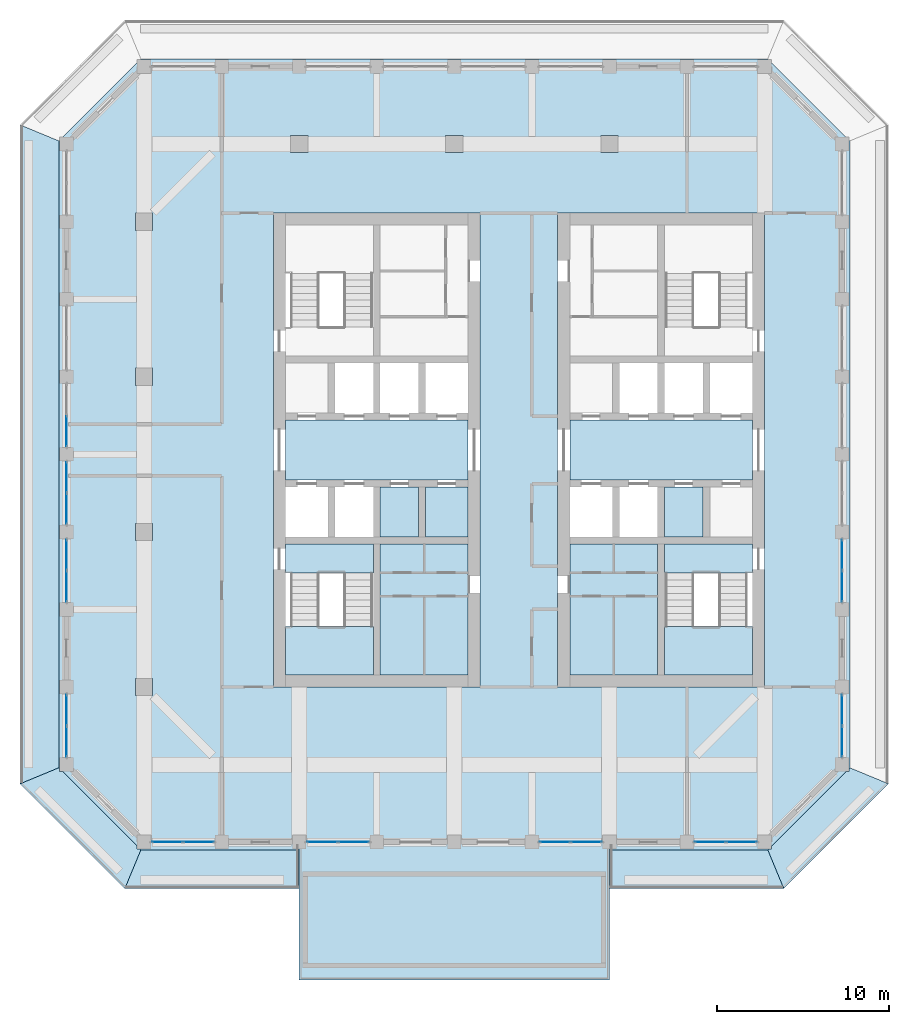
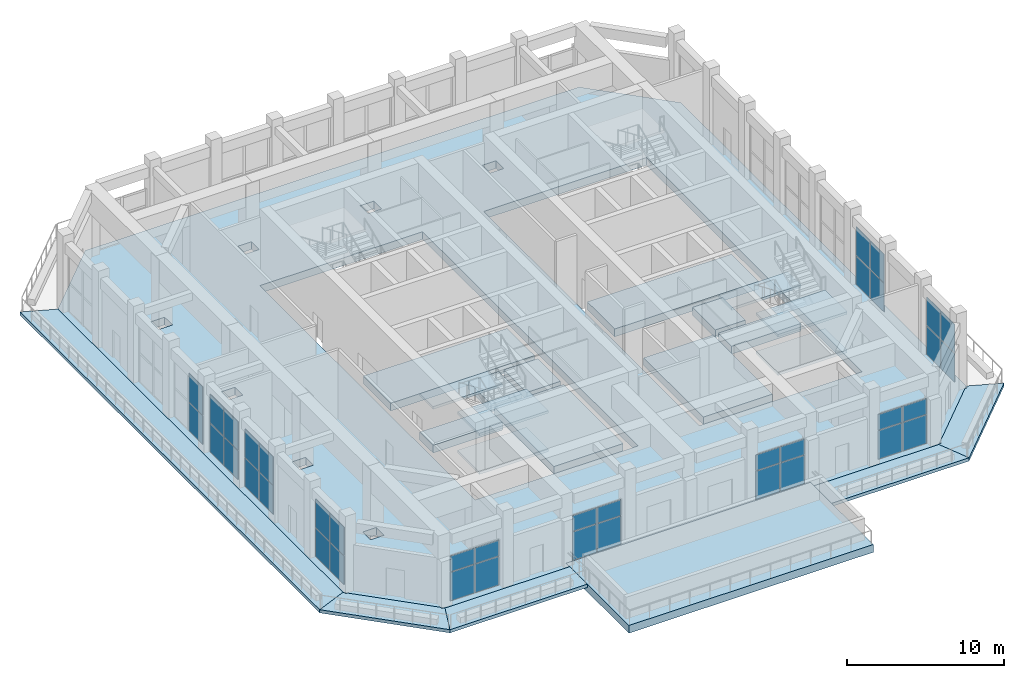
# One storey, part 7 of 20: 38 plates, 22 slabs, 12 elements without a shape of their own.
"""IFC4 building model written with IfcOpenShell, lengths in metres."""

from ifc_helpers import new_model, si_unit, direction, frame, origin, origin_2d, place, context, subcontext, project, spatial, polyline, rectangle, outline, extrude, material, layer, layer_set, type_object, element, aggregate, save


model = new_model("IFC4")

# Units and contexts
model_context = context("Model", 3, precision=1e-05, world=origin(), true_north=direction((0.0, 1.0)))
body_context = subcontext(model_context, "Body", "Model", "MODEL_VIEW")
ifc_project = project(units=[si_unit("LENGTHUNIT", "METRE"), si_unit("AREAUNIT", "SQUARE_METRE"), si_unit("VOLUMEUNIT", "CUBIC_METRE"), si_unit("PLANEANGLEUNIT", "RADIAN"), si_unit("MASSUNIT", "GRAM", prefix="KILO")], contexts=[model_context])

# Site, building, storey
site_placement = place(None, origin())
site = spatial("IfcSite", under=ifc_project, at=site_placement, CompositionType="ELEMENT")
building_placement = place(site_placement, origin())
building = spatial("IfcBuilding", under=site, at=building_placement, Name="Corbel Stack Research Tower", CompositionType="ELEMENT")
storey_placement = place(building_placement, frame((0.0, 0.0, 295.0)))
storey = spatial("IfcBuildingStorey", under=building, at=storey_placement, Name="L67", CompositionType="ELEMENT", Elevation=295.0)

# Curtain wall, plates
ifc_material_1 = material(Name="Aluminium frame, clear glass", Category="aluminium")
curtain_wall_type = type_object("IfcCurtainWallType", Name="Upper amenity floor curtain wall CW3", PredefinedType="NOTDEFINED", material=ifc_material_1)
curtain_wall_1_placement = place(storey_placement, origin())
curtain_wall_1 = element("IfcCurtainWall", 1, at=curtain_wall_1_placement, inside=storey, type_object=curtain_wall_type, Name="Curtain wall CW3 L67 S01", PredefinedType="NOTDEFINED")
ifc_material_2 = material(Name="Low-emissivity glass", Category="glass")
ifc_layer_1 = layer(ifc_material_2, 0.035888671875)
ifc_layer_set_1 = layer_set([ifc_layer_1], Name="Low-emissivity glass")
plate_type = type_object("IfcPlateType", Name="Low-emissivity glazing 36", PredefinedType="CURTAIN_PANEL", material=ifc_layer_set_1)
plate_1_placement = place(storey_placement, frame((-16.659912109375, -18.0, 0.06005859375), z_axis=(0.0, 0.0, 1.0), x_axis=(1.0, 0.0, 0.0)))
plate_1 = element("IfcPlate", 2, at=plate_1_placement, type_object=plate_type, Name="CW3 panel 1.1", PredefinedType="CURTAIN_PANEL", context=body_context, shape_type="SweptSolid", body=[
    extrude(rectangle(XDim=1.760009765625, YDim=0.035888671875, at=origin_2d()), origin(), (0.0, 0.0, 1.0), 2.2099609375),
])
plate_2_placement = place(storey_placement, frame((-16.659912109375, -18.0, 2.330078125), z_axis=(0.0, 0.0, 1.0), x_axis=(1.0, 0.0, 0.0)))
plate_2 = element("IfcPlate", 3, at=plate_2_placement, type_object=plate_type, Name="CW3 panel 1.2", PredefinedType="CURTAIN_PANEL", context=body_context, shape_type="SweptSolid", body=[
    extrude(rectangle(XDim=1.760009765625, YDim=0.035888671875, at=origin_2d()), origin(), (0.0, 0.0, 1.0), 1.2099609375),
])
plate_3_placement = place(storey_placement, frame((-14.840087890625, -18.0, 0.06005859375), z_axis=(0.0, 0.0, 1.0), x_axis=(1.0, 0.0, 0.0)))
plate_3 = element("IfcPlate", 4, at=plate_3_placement, type_object=plate_type, Name="CW3 panel 2.1", PredefinedType="CURTAIN_PANEL", context=body_context, shape_type="SweptSolid", body=[
    extrude(rectangle(XDim=1.760009765625, YDim=0.035888671875, at=origin_2d()), origin(), (0.0, 0.0, 1.0), 2.2099609375),
])
plate_4_placement = place(storey_placement, frame((-14.840087890625, -18.0, 2.330078125), z_axis=(0.0, 0.0, 1.0), x_axis=(1.0, 0.0, 0.0)))
plate_4 = element("IfcPlate", 5, at=plate_4_placement, type_object=plate_type, Name="CW3 panel 2.2", PredefinedType="CURTAIN_PANEL", context=body_context, shape_type="SweptSolid", body=[
    extrude(rectangle(XDim=1.760009765625, YDim=0.035888671875, at=origin_2d()), origin(), (0.0, 0.0, 1.0), 1.2099609375),
])
aggregate(curtain_wall_1, [plate_1, plate_2, plate_3, plate_4])

curtain_wall_2_placement = place(storey_placement, origin())
curtain_wall_2 = element("IfcCurtainWall", 6, at=curtain_wall_2_placement, inside=storey, type_object=curtain_wall_type, Name="Curtain wall CW3 L67 S03", PredefinedType="NOTDEFINED")
plate_5_placement = place(storey_placement, frame((-7.659912109375, -18.0, 0.06005859375), z_axis=(0.0, 0.0, 1.0), x_axis=(1.0, 0.0, 0.0)))
plate_5 = element("IfcPlate", 7, at=plate_5_placement, type_object=plate_type, Name="CW3 panel 1.1", PredefinedType="CURTAIN_PANEL", context=body_context, shape_type="SweptSolid", body=[
    extrude(rectangle(XDim=1.760009765625, YDim=0.035888671875, at=origin_2d()), origin(), (0.0, 0.0, 1.0), 2.2099609375),
])
plate_6_placement = place(storey_placement, frame((-7.659912109375, -18.0, 2.330078125), z_axis=(0.0, 0.0, 1.0), x_axis=(1.0, 0.0, 0.0)))
plate_6 = element("IfcPlate", 8, at=plate_6_placement, type_object=plate_type, Name="CW3 panel 1.2", PredefinedType="CURTAIN_PANEL", context=body_context, shape_type="SweptSolid", body=[
    extrude(rectangle(XDim=1.760009765625, YDim=0.035888671875, at=origin_2d()), origin(), (0.0, 0.0, 1.0), 1.2099609375),
])
plate_7_placement = place(storey_placement, frame((-5.840087890625, -18.0, 0.06005859375), z_axis=(0.0, 0.0, 1.0), x_axis=(1.0, 0.0, 0.0)))
plate_7 = element("IfcPlate", 9, at=plate_7_placement, type_object=plate_type, Name="CW3 panel 2.1", PredefinedType="CURTAIN_PANEL", context=body_context, shape_type="SweptSolid", body=[
    extrude(rectangle(XDim=1.760009765625, YDim=0.035888671875, at=origin_2d()), origin(), (0.0, 0.0, 1.0), 2.2099609375),
])
plate_8_placement = place(storey_placement, frame((-5.840087890625, -18.0, 2.330078125), z_axis=(0.0, 0.0, 1.0), x_axis=(1.0, 0.0, 0.0)))
plate_8 = element("IfcPlate", 10, at=plate_8_placement, type_object=plate_type, Name="CW3 panel 2.2", PredefinedType="CURTAIN_PANEL", context=body_context, shape_type="SweptSolid", body=[
    extrude(rectangle(XDim=1.760009765625, YDim=0.035888671875, at=origin_2d()), origin(), (0.0, 0.0, 1.0), 1.2099609375),
])
aggregate(curtain_wall_2, [plate_5, plate_6, plate_7, plate_8])

curtain_wall_3_placement = place(storey_placement, origin())
curtain_wall_3 = element("IfcCurtainWall", 11, at=curtain_wall_3_placement, inside=storey, type_object=curtain_wall_type, Name="Curtain wall CW3 L67 S06", PredefinedType="NOTDEFINED")
plate_9_placement = place(storey_placement, frame((5.840087890625, -18.0, 0.06005859375), z_axis=(0.0, 0.0, 1.0), x_axis=(1.0, 0.0, 0.0)))
plate_9 = element("IfcPlate", 12, at=plate_9_placement, type_object=plate_type, Name="CW3 panel 1.1", PredefinedType="CURTAIN_PANEL", context=body_context, shape_type="SweptSolid", body=[
    extrude(rectangle(XDim=1.760009765625, YDim=0.035888671875, at=origin_2d()), origin(), (0.0, 0.0, 1.0), 2.2099609375),
])
plate_10_placement = place(storey_placement, frame((5.840087890625, -18.0, 2.330078125), z_axis=(0.0, 0.0, 1.0), x_axis=(1.0, 0.0, 0.0)))
plate_10 = element("IfcPlate", 13, at=plate_10_placement, type_object=plate_type, Name="CW3 panel 1.2", PredefinedType="CURTAIN_PANEL", context=body_context, shape_type="SweptSolid", body=[
    extrude(rectangle(XDim=1.760009765625, YDim=0.035888671875, at=origin_2d()), origin(), (0.0, 0.0, 1.0), 1.2099609375),
])
plate_11_placement = place(storey_placement, frame((7.659912109375, -18.0, 0.06005859375), z_axis=(0.0, 0.0, 1.0), x_axis=(1.0, 0.0, 0.0)))
plate_11 = element("IfcPlate", 14, at=plate_11_placement, type_object=plate_type, Name="CW3 panel 2.1", PredefinedType="CURTAIN_PANEL", context=body_context, shape_type="SweptSolid", body=[
    extrude(rectangle(XDim=1.760009765625, YDim=0.035888671875, at=origin_2d()), origin(), (0.0, 0.0, 1.0), 2.2099609375),
])
plate_12_placement = place(storey_placement, frame((7.659912109375, -18.0, 2.330078125), z_axis=(0.0, 0.0, 1.0), x_axis=(1.0, 0.0, 0.0)))
plate_12 = element("IfcPlate", 15, at=plate_12_placement, type_object=plate_type, Name="CW3 panel 2.2", PredefinedType="CURTAIN_PANEL", context=body_context, shape_type="SweptSolid", body=[
    extrude(rectangle(XDim=1.760009765625, YDim=0.035888671875, at=origin_2d()), origin(), (0.0, 0.0, 1.0), 1.2099609375),
])
aggregate(curtain_wall_3, [plate_9, plate_10, plate_11, plate_12])

curtain_wall_4_placement = place(storey_placement, origin())
curtain_wall_4 = element("IfcCurtainWall", 16, at=curtain_wall_4_placement, inside=storey, type_object=curtain_wall_type, Name="Curtain wall CW3 L67 S08", PredefinedType="NOTDEFINED")
plate_13_placement = place(storey_placement, frame((14.840087890625, -18.0, 0.06005859375), z_axis=(0.0, 0.0, 1.0), x_axis=(1.0, 0.0, 0.0)))
plate_13 = element("IfcPlate", 17, at=plate_13_placement, type_object=plate_type, Name="CW3 panel 1.1", PredefinedType="CURTAIN_PANEL", context=body_context, shape_type="SweptSolid", body=[
    extrude(rectangle(XDim=1.760009765625, YDim=0.035888671875, at=origin_2d()), origin(), (0.0, 0.0, 1.0), 2.2099609375),
])
plate_14_placement = place(storey_placement, frame((14.840087890625, -18.0, 2.330078125), z_axis=(0.0, 0.0, 1.0), x_axis=(1.0, 0.0, 0.0)))
plate_14 = element("IfcPlate", 18, at=plate_14_placement, type_object=plate_type, Name="CW3 panel 1.2", PredefinedType="CURTAIN_PANEL", context=body_context, shape_type="SweptSolid", body=[
    extrude(rectangle(XDim=1.760009765625, YDim=0.035888671875, at=origin_2d()), origin(), (0.0, 0.0, 1.0), 1.2099609375),
])
plate_15_placement = place(storey_placement, frame((16.659912109375, -18.0, 0.06005859375), z_axis=(0.0, 0.0, 1.0), x_axis=(1.0, 0.0, 0.0)))
plate_15 = element("IfcPlate", 19, at=plate_15_placement, type_object=plate_type, Name="CW3 panel 2.1", PredefinedType="CURTAIN_PANEL", context=body_context, shape_type="SweptSolid", body=[
    extrude(rectangle(XDim=1.760009765625, YDim=0.035888671875, at=origin_2d()), origin(), (0.0, 0.0, 1.0), 2.2099609375),
])
plate_16_placement = place(storey_placement, frame((16.659912109375, -18.0, 2.330078125), z_axis=(0.0, 0.0, 1.0), x_axis=(1.0, 0.0, 0.0)))
plate_16 = element("IfcPlate", 20, at=plate_16_placement, type_object=plate_type, Name="CW3 panel 2.2", PredefinedType="CURTAIN_PANEL", context=body_context, shape_type="SweptSolid", body=[
    extrude(rectangle(XDim=1.760009765625, YDim=0.035888671875, at=origin_2d()), origin(), (0.0, 0.0, 1.0), 1.2099609375),
])
aggregate(curtain_wall_4, [plate_13, plate_14, plate_15, plate_16])

curtain_wall_5_placement = place(storey_placement, origin())
curtain_wall_5 = element("IfcCurtainWall", 21, at=curtain_wall_5_placement, inside=storey, type_object=curtain_wall_type, Name="Curtain wall CW3 L67 E01", PredefinedType="NOTDEFINED")
plate_17_placement = place(storey_placement, frame((22.5, -12.159912109375, 0.06005859375), z_axis=(0.0, 0.0, 1.0), x_axis=(0.0, 1.0, 0.0)))
plate_17 = element("IfcPlate", 22, at=plate_17_placement, type_object=plate_type, Name="CW3 panel 1.1", PredefinedType="CURTAIN_PANEL", context=body_context, shape_type="SweptSolid", body=[
    extrude(rectangle(XDim=1.760009765625, YDim=0.035888671875, at=origin_2d()), origin(), (0.0, 0.0, 1.0), 2.2099609375),
])
plate_18_placement = place(storey_placement, frame((22.5, -12.159912109375, 2.330078125), z_axis=(0.0, 0.0, 1.0), x_axis=(0.0, 1.0, 0.0)))
plate_18 = element("IfcPlate", 23, at=plate_18_placement, type_object=plate_type, Name="CW3 panel 1.2", PredefinedType="CURTAIN_PANEL", context=body_context, shape_type="SweptSolid", body=[
    extrude(rectangle(XDim=1.760009765625, YDim=0.035888671875, at=origin_2d()), origin(), (0.0, 0.0, 1.0), 2.2099609375),
])
plate_19_placement = place(storey_placement, frame((22.5, -10.340087890625, 0.06005859375), z_axis=(0.0, 0.0, 1.0), x_axis=(0.0, 1.0, 0.0)))
plate_19 = element("IfcPlate", 24, at=plate_19_placement, type_object=plate_type, Name="CW3 panel 2.1", PredefinedType="CURTAIN_PANEL", context=body_context, shape_type="SweptSolid", body=[
    extrude(rectangle(XDim=1.760009765625, YDim=0.035888671875, at=origin_2d()), origin(), (0.0, 0.0, 1.0), 2.2099609375),
])
plate_20_placement = place(storey_placement, frame((22.5, -10.340087890625, 2.330078125), z_axis=(0.0, 0.0, 1.0), x_axis=(0.0, 1.0, 0.0)))
plate_20 = element("IfcPlate", 25, at=plate_20_placement, type_object=plate_type, Name="CW3 panel 2.2", PredefinedType="CURTAIN_PANEL", context=body_context, shape_type="SweptSolid", body=[
    extrude(rectangle(XDim=1.760009765625, YDim=0.035888671875, at=origin_2d()), origin(), (0.0, 0.0, 1.0), 2.2099609375),
])
aggregate(curtain_wall_5, [plate_17, plate_18, plate_19, plate_20])

curtain_wall_6_placement = place(storey_placement, origin())
curtain_wall_6 = element("IfcCurtainWall", 26, at=curtain_wall_6_placement, inside=storey, type_object=curtain_wall_type, Name="Curtain wall CW3 L67 E03", PredefinedType="NOTDEFINED")
plate_21_placement = place(storey_placement, frame((22.5, -3.159912109375, 0.06005859375), z_axis=(0.0, 0.0, 1.0), x_axis=(0.0, 1.0, 0.0)))
plate_21 = element("IfcPlate", 27, at=plate_21_placement, type_object=plate_type, Name="CW3 panel 1.1", PredefinedType="CURTAIN_PANEL", context=body_context, shape_type="SweptSolid", body=[
    extrude(rectangle(XDim=1.760009765625, YDim=0.035888671875, at=origin_2d()), origin(), (0.0, 0.0, 1.0), 2.2099609375),
])
plate_22_placement = place(storey_placement, frame((22.5, -3.159912109375, 2.330078125), z_axis=(0.0, 0.0, 1.0), x_axis=(0.0, 1.0, 0.0)))
plate_22 = element("IfcPlate", 28, at=plate_22_placement, type_object=plate_type, Name="CW3 panel 1.2", PredefinedType="CURTAIN_PANEL", context=body_context, shape_type="SweptSolid", body=[
    extrude(rectangle(XDim=1.760009765625, YDim=0.035888671875, at=origin_2d()), origin(), (0.0, 0.0, 1.0), 2.2099609375),
])
plate_23_placement = place(storey_placement, frame((22.5, -1.340087890625, 0.06005859375), z_axis=(0.0, 0.0, 1.0), x_axis=(0.0, 1.0, 0.0)))
plate_23 = element("IfcPlate", 29, at=plate_23_placement, type_object=plate_type, Name="CW3 panel 2.1", PredefinedType="CURTAIN_PANEL", context=body_context, shape_type="SweptSolid", body=[
    extrude(rectangle(XDim=1.760009765625, YDim=0.035888671875, at=origin_2d()), origin(), (0.0, 0.0, 1.0), 2.2099609375),
])
plate_24_placement = place(storey_placement, frame((22.5, -1.340087890625, 2.330078125), z_axis=(0.0, 0.0, 1.0), x_axis=(0.0, 1.0, 0.0)))
plate_24 = element("IfcPlate", 30, at=plate_24_placement, type_object=plate_type, Name="CW3 panel 2.2", PredefinedType="CURTAIN_PANEL", context=body_context, shape_type="SweptSolid", body=[
    extrude(rectangle(XDim=1.760009765625, YDim=0.035888671875, at=origin_2d()), origin(), (0.0, 0.0, 1.0), 2.2099609375),
])
aggregate(curtain_wall_6, [plate_21, plate_22, plate_23, plate_24])

curtain_wall_7_placement = place(storey_placement, origin())
curtain_wall_7 = element("IfcCurtainWall", 31, at=curtain_wall_7_placement, inside=storey, type_object=curtain_wall_type, Name="Curtain wall CW3 L67 W04", PredefinedType="NOTDEFINED")
plate_25_placement = place(storey_placement, frame((-22.5, 5.840087890625, 0.06005859375), z_axis=(0.0, 0.0, 1.0), x_axis=(0.0, -1.0, 0.0)))
plate_25 = element("IfcPlate", 32, at=plate_25_placement, type_object=plate_type, Name="CW3 panel 2.1", PredefinedType="CURTAIN_PANEL", context=body_context, shape_type="SweptSolid", body=[
    extrude(rectangle(XDim=1.760009765625, YDim=0.035888671875, at=origin_2d()), origin(), (0.0, 0.0, 1.0), 2.2099609375),
])
plate_26_placement = place(storey_placement, frame((-22.5, 5.840087890625, 2.330078125), z_axis=(0.0, 0.0, 1.0), x_axis=(0.0, -1.0, 0.0)))
plate_26 = element("IfcPlate", 33, at=plate_26_placement, type_object=plate_type, Name="CW3 panel 2.2", PredefinedType="CURTAIN_PANEL", context=body_context, shape_type="SweptSolid", body=[
    extrude(rectangle(XDim=1.760009765625, YDim=0.035888671875, at=origin_2d()), origin(), (0.0, 0.0, 1.0), 2.2099609375),
])
aggregate(curtain_wall_7, [plate_25, plate_26])

curtain_wall_8_placement = place(storey_placement, origin())
curtain_wall_8 = element("IfcCurtainWall", 34, at=curtain_wall_8_placement, inside=storey, type_object=curtain_wall_type, Name="Curtain wall CW3 L67 W05", PredefinedType="NOTDEFINED")
plate_27_placement = place(storey_placement, frame((-22.5, 3.159912109375, 0.06005859375), z_axis=(0.0, 0.0, 1.0), x_axis=(0.0, -1.0, 0.0)))
plate_27 = element("IfcPlate", 35, at=plate_27_placement, type_object=plate_type, Name="CW3 panel 1.1", PredefinedType="CURTAIN_PANEL", context=body_context, shape_type="SweptSolid", body=[
    extrude(rectangle(XDim=1.760009765625, YDim=0.035888671875, at=origin_2d()), origin(), (0.0, 0.0, 1.0), 2.2099609375),
])
plate_28_placement = place(storey_placement, frame((-22.5, 3.159912109375, 2.330078125), z_axis=(0.0, 0.0, 1.0), x_axis=(0.0, -1.0, 0.0)))
plate_28 = element("IfcPlate", 36, at=plate_28_placement, type_object=plate_type, Name="CW3 panel 1.2", PredefinedType="CURTAIN_PANEL", context=body_context, shape_type="SweptSolid", body=[
    extrude(rectangle(XDim=1.760009765625, YDim=0.035888671875, at=origin_2d()), origin(), (0.0, 0.0, 1.0), 2.2099609375),
])
plate_29_placement = place(storey_placement, frame((-22.5, 1.340087890625, 0.06005859375), z_axis=(0.0, 0.0, 1.0), x_axis=(0.0, -1.0, 0.0)))
plate_29 = element("IfcPlate", 37, at=plate_29_placement, type_object=plate_type, Name="CW3 panel 2.1", PredefinedType="CURTAIN_PANEL", context=body_context, shape_type="SweptSolid", body=[
    extrude(rectangle(XDim=1.760009765625, YDim=0.035888671875, at=origin_2d()), origin(), (0.0, 0.0, 1.0), 2.2099609375),
])
plate_30_placement = place(storey_placement, frame((-22.5, 1.340087890625, 2.330078125), z_axis=(0.0, 0.0, 1.0), x_axis=(0.0, -1.0, 0.0)))
plate_30 = element("IfcPlate", 38, at=plate_30_placement, type_object=plate_type, Name="CW3 panel 2.2", PredefinedType="CURTAIN_PANEL", context=body_context, shape_type="SweptSolid", body=[
    extrude(rectangle(XDim=1.760009765625, YDim=0.035888671875, at=origin_2d()), origin(), (0.0, 0.0, 1.0), 2.2099609375),
])
aggregate(curtain_wall_8, [plate_27, plate_28, plate_29, plate_30])

curtain_wall_9_placement = place(storey_placement, origin())
curtain_wall_9 = element("IfcCurtainWall", 39, at=curtain_wall_9_placement, inside=storey, type_object=curtain_wall_type, Name="Curtain wall CW3 L67 W06", PredefinedType="NOTDEFINED")
plate_31_placement = place(storey_placement, frame((-22.5, -1.340087890625, 0.06005859375), z_axis=(0.0, 0.0, 1.0), x_axis=(0.0, -1.0, 0.0)))
plate_31 = element("IfcPlate", 40, at=plate_31_placement, type_object=plate_type, Name="CW3 panel 1.1", PredefinedType="CURTAIN_PANEL", context=body_context, shape_type="SweptSolid", body=[
    extrude(rectangle(XDim=1.760009765625, YDim=0.035888671875, at=origin_2d()), origin(), (0.0, 0.0, 1.0), 2.2099609375),
])
plate_32_placement = place(storey_placement, frame((-22.5, -1.340087890625, 2.330078125), z_axis=(0.0, 0.0, 1.0), x_axis=(0.0, -1.0, 0.0)))
plate_32 = element("IfcPlate", 41, at=plate_32_placement, type_object=plate_type, Name="CW3 panel 1.2", PredefinedType="CURTAIN_PANEL", context=body_context, shape_type="SweptSolid", body=[
    extrude(rectangle(XDim=1.760009765625, YDim=0.035888671875, at=origin_2d()), origin(), (0.0, 0.0, 1.0), 2.2099609375),
])
plate_33_placement = place(storey_placement, frame((-22.5, -3.159912109375, 0.06005859375), z_axis=(0.0, 0.0, 1.0), x_axis=(0.0, -1.0, 0.0)))
plate_33 = element("IfcPlate", 42, at=plate_33_placement, type_object=plate_type, Name="CW3 panel 2.1", PredefinedType="CURTAIN_PANEL", context=body_context, shape_type="SweptSolid", body=[
    extrude(rectangle(XDim=1.760009765625, YDim=0.035888671875, at=origin_2d()), origin(), (0.0, 0.0, 1.0), 2.2099609375),
])
plate_34_placement = place(storey_placement, frame((-22.5, -3.159912109375, 2.330078125), z_axis=(0.0, 0.0, 1.0), x_axis=(0.0, -1.0, 0.0)))
plate_34 = element("IfcPlate", 43, at=plate_34_placement, type_object=plate_type, Name="CW3 panel 2.2", PredefinedType="CURTAIN_PANEL", context=body_context, shape_type="SweptSolid", body=[
    extrude(rectangle(XDim=1.760009765625, YDim=0.035888671875, at=origin_2d()), origin(), (0.0, 0.0, 1.0), 2.2099609375),
])
aggregate(curtain_wall_9, [plate_31, plate_32, plate_33, plate_34])

curtain_wall_10_placement = place(storey_placement, origin())
curtain_wall_10 = element("IfcCurtainWall", 44, at=curtain_wall_10_placement, inside=storey, type_object=curtain_wall_type, Name="Curtain wall CW3 L67 W08", PredefinedType="NOTDEFINED")
plate_35_placement = place(storey_placement, frame((-22.5, -10.340087890625, 0.06005859375), z_axis=(0.0, 0.0, 1.0), x_axis=(0.0, -1.0, 0.0)))
plate_35 = element("IfcPlate", 45, at=plate_35_placement, type_object=plate_type, Name="CW3 panel 1.1", PredefinedType="CURTAIN_PANEL", context=body_context, shape_type="SweptSolid", body=[
    extrude(rectangle(XDim=1.760009765625, YDim=0.035888671875, at=origin_2d()), origin(), (0.0, 0.0, 1.0), 2.2099609375),
])
plate_36_placement = place(storey_placement, frame((-22.5, -10.340087890625, 2.330078125), z_axis=(0.0, 0.0, 1.0), x_axis=(0.0, -1.0, 0.0)))
plate_36 = element("IfcPlate", 46, at=plate_36_placement, type_object=plate_type, Name="CW3 panel 1.2", PredefinedType="CURTAIN_PANEL", context=body_context, shape_type="SweptSolid", body=[
    extrude(rectangle(XDim=1.760009765625, YDim=0.035888671875, at=origin_2d()), origin(), (0.0, 0.0, 1.0), 2.2099609375),
])
plate_37_placement = place(storey_placement, frame((-22.5, -12.159912109375, 0.06005859375), z_axis=(0.0, 0.0, 1.0), x_axis=(0.0, -1.0, 0.0)))
plate_37 = element("IfcPlate", 47, at=plate_37_placement, type_object=plate_type, Name="CW3 panel 2.1", PredefinedType="CURTAIN_PANEL", context=body_context, shape_type="SweptSolid", body=[
    extrude(rectangle(XDim=1.760009765625, YDim=0.035888671875, at=origin_2d()), origin(), (0.0, 0.0, 1.0), 2.2099609375),
])
plate_38_placement = place(storey_placement, frame((-22.5, -12.159912109375, 2.330078125), z_axis=(0.0, 0.0, 1.0), x_axis=(0.0, -1.0, 0.0)))
plate_38 = element("IfcPlate", 48, at=plate_38_placement, type_object=plate_type, Name="CW3 panel 2.2", PredefinedType="CURTAIN_PANEL", context=body_context, shape_type="SweptSolid", body=[
    extrude(rectangle(XDim=1.760009765625, YDim=0.035888671875, at=origin_2d()), origin(), (0.0, 0.0, 1.0), 2.2099609375),
])
aggregate(curtain_wall_10, [plate_35, plate_36, plate_37, plate_38])

# Slabs
ifc_material_3 = material(Name="Concrete C45/55", Category="concrete")
ifc_layer_2 = layer(ifc_material_3, 0.25)
ifc_layer_set_2 = layer_set([ifc_layer_2], Name="Concrete C45/55")
slab_type_1 = type_object("IfcSlabType", Name="PT balcony slab 250 C45/55", PredefinedType="FLOOR", material=ifc_layer_set_2)
slab_1_placement = place(storey_placement, frame((0.0, 0.0, -0.25)))
element("IfcSlab", 49, at=slab_1_placement, inside=storey, type_object=slab_type_1, Name="Loggia slab L67 S", PredefinedType="FLOOR", context=body_context, shape_type="SweptSolid", body=[
    extrude(outline(polyline([(-9.0, -20.699951171875), (-9.0, -18.449951171875), (-18.186279296875, -18.449951171875), (-19.118408203125, -20.699951171875), (-9.0, -20.699951171875)])), origin(), (0.0, 0.0, 1.0), 0.25),
])
slab_2_placement = place(storey_placement, frame((0.0, 0.0, -0.25)))
element("IfcSlab", 50, at=slab_2_placement, inside=storey, type_object=slab_type_1, Name="Loggia slab L67 S", PredefinedType="FLOOR", context=body_context, shape_type="SweptSolid", body=[
    extrude(outline(polyline([(18.186279296875, -18.449951171875), (9.0, -18.449951171875), (9.0, -20.699951171875), (19.118408203125, -20.699951171875), (18.186279296875, -18.449951171875)])), origin(), (0.0, 0.0, 1.0), 0.25),
])
slab_3_placement = place(storey_placement, frame((0.0, 0.0, -0.25)))
element("IfcSlab", 51, at=slab_3_placement, inside=storey, type_object=slab_type_1, Name="Loggia slab L67 SE", PredefinedType="FLOOR", context=body_context, shape_type="SweptSolid", body=[
    extrude(outline(polyline([(22.949951171875, -13.686279296875), (22.89990234375, -13.736328125), (22.89990234375, -13.89990234375), (22.736328125, -13.89990234375), (18.39990234375, -18.236328125), (18.39990234375, -18.39990234375), (18.236328125, -18.39990234375), (18.186279296875, -18.449951171875), (19.118408203125, -20.699951171875), (25.199951171875, -14.618408203125), (22.949951171875, -13.686279296875)])), origin(), (0.0, 0.0, 1.0), 0.25),
])
slab_4_placement = place(storey_placement, frame((0.0, 0.0, -0.25)))
element("IfcSlab", 52, at=slab_4_placement, inside=storey, type_object=slab_type_1, Name="Loggia slab L67 W", PredefinedType="FLOOR", context=body_context, shape_type="SweptSolid", body=[
    extrude(outline(polyline([(-22.949951171875, -13.686279296875), (-22.949951171875, 22.686279296875), (-25.199951171875, 23.618408203125), (-25.199951171875, -14.618408203125), (-22.949951171875, -13.686279296875)])), origin(), (0.0, 0.0, 1.0), 0.25),
])
slab_5_placement = place(storey_placement, frame((0.0, 0.0, -0.25)))
element("IfcSlab", 53, at=slab_5_placement, inside=storey, type_object=slab_type_1, Name="Loggia slab L67 SW", PredefinedType="FLOOR", context=body_context, shape_type="SweptSolid", body=[
    extrude(outline(polyline([(-18.186279296875, -18.449951171875), (-18.236328125, -18.39990234375), (-18.39990234375, -18.39990234375), (-18.39990234375, -18.236328125), (-22.736328125, -13.89990234375), (-22.89990234375, -13.89990234375), (-22.89990234375, -13.736328125), (-22.949951171875, -13.686279296875), (-25.199951171875, -14.618408203125), (-19.118408203125, -20.699951171875), (-18.186279296875, -18.449951171875)])), origin(), (0.0, 0.0, 1.0), 0.25),
])
ifc_material_4 = material(Name="Concrete C45/55", Category="concrete")
ifc_layer_3 = layer(ifc_material_4, 0.60009765625)
ifc_layer_set_3 = layer_set([ifc_layer_3], Name="Concrete C45/55")
slab_type_2 = type_object("IfcSlabType", Name="PT-600", PredefinedType="FLOOR", material=ifc_layer_set_3)
slab_6_placement = place(storey_placement, frame((0.0, 0.0, -0.60009765625)))
element("IfcSlab", 54, at=slab_6_placement, inside=storey, type_object=slab_type_2, Name="Floor slab L67", PredefinedType="FLOOR", context=body_context, shape_type="SweptSolid", body=[
    extrude(outline(polyline([(-18.186279296875, -18.449951171875), (-9.0, -18.449951171875), (-9.0, -18.0), (9.0, -18.0), (9.0, -18.449951171875), (18.186279296875, -18.449951171875), (22.949951171875, -13.686279296875), (22.949951171875, 22.686279296875), (18.186279296875, 27.449951171875), (-18.186279296875, 27.449951171875), (-22.949951171875, 22.686279296875), (-22.949951171875, -13.686279296875), (-18.186279296875, -18.449951171875)]), holes=[polyline([(18.0, 18.5), (18.0, -9.0), (6.0, -9.0), (6.0, 18.5), (18.0, 18.5)]), polyline([(9.5, 22.0), (8.5, 22.0), (8.5, 23.0), (9.5, 23.0), (9.5, 22.0)]), polyline([(1.5, 18.5), (1.5, -9.0), (-10.5, -9.0), (-10.5, 18.5), (1.5, 18.5)]), polyline([(0.5, 22.0), (-0.5, 22.0), (-0.5, 23.0), (0.5, 23.0), (0.5, 22.0)]), polyline([(-8.5, 23.0), (-8.5, 22.0), (-9.5, 22.0), (-9.5, 23.0), (-8.5, 23.0)]), polyline([(-17.5, -8.5), (-17.5, -9.5), (-18.5, -9.5), (-18.5, -8.5), (-17.5, -8.5)]), polyline([(-17.5, 0.5), (-17.5, -0.5), (-18.5, -0.5), (-18.5, 0.5), (-17.5, 0.5)]), polyline([(-17.5, 9.5), (-17.5, 8.5), (-18.5, 8.5), (-18.5, 9.5), (-17.5, 9.5)]), polyline([(-17.5, 18.5), (-17.5, 17.5), (-18.5, 17.5), (-18.5, 18.5), (-17.5, 18.5)])]), origin(), (0.0, 0.0, 1.0), 0.60009765625),
])
slab_7_placement = place(storey_placement, frame((0.0, 0.0, -0.60009765625)))
element("IfcSlab", 55, at=slab_7_placement, inside=storey, type_object=slab_type_2, Name="West core floor L67", PredefinedType="FLOOR", context=body_context, shape_type="SweptSolid", body=[
    extrude(outline(polyline([(-9.800048828125, 6.5), (-9.800048828125, 3.0), (0.800048828125, 3.0), (0.800048828125, 6.5), (-9.800048828125, 6.5)])), origin(), (0.0, 0.0, 1.0), 0.60009765625),
])
slab_8_placement = place(storey_placement, frame((0.0, 0.0, -0.60009765625)))
element("IfcSlab", 56, at=slab_8_placement, inside=storey, type_object=slab_type_2, Name="West core floor L67", PredefinedType="FLOOR", context=body_context, shape_type="SweptSolid", body=[
    extrude(outline(polyline([(-4.300048828125, -0.699951171875), (-4.300048828125, -8.300048828125), (0.800048828125, -8.300048828125), (0.800048828125, -0.699951171875), (-4.300048828125, -0.699951171875)])), origin(), (0.0, 0.0, 1.0), 0.60009765625),
])
slab_9_placement = place(storey_placement, frame((0.0, 0.0, -0.60009765625)))
element("IfcSlab", 57, at=slab_9_placement, inside=storey, type_object=slab_type_2, Name="West core floor L67", PredefinedType="FLOOR", context=body_context, shape_type="SweptSolid", body=[
    extrude(outline(polyline([(-4.300048828125, 2.60009765625), (-4.300048828125, -0.300048828125), (-2.074951171875, -0.300048828125), (-2.074951171875, 2.60009765625), (-4.300048828125, 2.60009765625)])), origin(), (0.0, 0.0, 1.0), 0.60009765625),
])
slab_10_placement = place(storey_placement, frame((0.0, 0.0, -0.60009765625)))
element("IfcSlab", 58, at=slab_10_placement, inside=storey, type_object=slab_type_2, Name="West core floor L67", PredefinedType="FLOOR", context=body_context, shape_type="SweptSolid", body=[
    extrude(outline(polyline([(-1.675048828125, 2.60009765625), (-1.675048828125, -0.300048828125), (0.800048828125, -0.300048828125), (0.800048828125, 2.60009765625), (-1.675048828125, 2.60009765625)])), origin(), (0.0, 0.0, 1.0), 0.60009765625),
])
slab_11_placement = place(storey_placement, frame((0.0, 0.0, -0.60009765625)))
element("IfcSlab", 59, at=slab_11_placement, inside=storey, type_object=slab_type_2, Name="East core floor L67", PredefinedType="FLOOR", context=body_context, shape_type="SweptSolid", body=[
    extrude(outline(polyline([(6.699951171875, -8.300048828125), (11.800048828125, -8.300048828125), (11.800048828125, -0.699951171875), (6.699951171875, -0.699951171875), (6.699951171875, -8.300048828125)])), origin(), (0.0, 0.0, 1.0), 0.60009765625),
])
slab_12_placement = place(storey_placement, frame((0.0, 0.0, -0.60009765625)))
element("IfcSlab", 60, at=slab_12_placement, inside=storey, type_object=slab_type_2, Name="East core floor L67", PredefinedType="FLOOR", context=body_context, shape_type="SweptSolid", body=[
    extrude(outline(polyline([(6.699951171875, 3.0), (17.300048828125, 3.0), (17.300048828125, 6.5), (6.699951171875, 6.5), (6.699951171875, 3.0)])), origin(), (0.0, 0.0, 1.0), 0.60009765625),
])
slab_13_placement = place(storey_placement, frame((0.0, 0.0, -0.60009765625)))
element("IfcSlab", 61, at=slab_13_placement, inside=storey, type_object=slab_type_2, Name="East core floor L67", PredefinedType="FLOOR", context=body_context, shape_type="SweptSolid", body=[
    extrude(outline(polyline([(12.199951171875, 2.60009765625), (12.199951171875, -0.300048828125), (14.425048828125, -0.300048828125), (14.425048828125, 2.60009765625), (12.199951171875, 2.60009765625)])), origin(), (0.0, 0.0, 1.0), 0.60009765625),
])
slab_14_placement = place(storey_placement, frame((0.0, 0.0, -0.60009765625)))
element("IfcSlab", 62, at=slab_14_placement, inside=storey, type_object=slab_type_2, Name="Sky pool slab", PredefinedType="FLOOR", context=body_context, shape_type="SweptSolid", body=[
    extrude(outline(polyline([(-9.0, -26.0), (9.0, -26.0), (9.0, -18.0), (-9.0, -18.0), (-9.0, -26.0)])), origin(), (0.0, 0.0, 1.0), 0.60009765625),
])
slab_15_placement = place(storey_placement, frame((0.0, 0.0, -0.60009765625)))
element("IfcSlab", 63, at=slab_15_placement, inside=storey, type_object=slab_type_2, Name="Stair floor landing ST-W1", PredefinedType="FLOOR", context=body_context, shape_type="SweptSolid", body=[
    extrude(outline(polyline([(-9.800048828125, -2.39990234375), (-4.699951171875, -2.39990234375), (-4.699951171875, -0.699951171875), (-9.800048828125, -0.699951171875), (-9.800048828125, -2.39990234375)])), origin(), (0.0, 0.0, 1.0), 0.60009765625),
])
slab_16_placement = place(storey_placement, frame((0.0, 0.0, -0.60009765625)))
element("IfcSlab", 64, at=slab_16_placement, inside=storey, type_object=slab_type_2, Name="Stair floor landing ST-E1", PredefinedType="FLOOR", context=body_context, shape_type="SweptSolid", body=[
    extrude(outline(polyline([(12.199951171875, -2.39990234375), (17.300048828125, -2.39990234375), (17.300048828125, -0.699951171875), (12.199951171875, -0.699951171875), (12.199951171875, -2.39990234375)])), origin(), (0.0, 0.0, 1.0), 0.60009765625),
])

# Stair, slabs
ifc_material_5 = material(Name="Concrete C40/50", Category="concrete")
stair_type = type_object("IfcStairType", Name="Exit stair 36 risers, 388 going", PredefinedType="HALF_TURN_STAIR", material=ifc_material_5)
stair_1_placement = place(storey_placement, origin())
stair_1 = element("IfcStair", 65, at=stair_1_placement, inside=storey, type_object=stair_type, Name="L67 Exit stair ST-W1", PredefinedType="HALF_TURN_STAIR")
ifc_material_6 = material(Name="Concrete C40/50", Category="concrete")
ifc_layer_4 = layer(ifc_material_6, 0.199951171875)
ifc_layer_set_4 = layer_set([ifc_layer_4], Name="Concrete C40/50")
slab_type_3 = type_object("IfcSlabType", Name="Stair landing 200 C40/50", PredefinedType="LANDING", material=ifc_layer_set_4)
slab_17_placement = place(storey_placement, frame((0.0, 0.0, 1.300048828125)))
slab_17 = element("IfcSlab", 66, at=slab_17_placement, type_object=slab_type_3, Name="ST-W1 landing 1", PredefinedType="LANDING", context=body_context, shape_type="SweptSolid", body=[
    extrude(outline(polyline([(-9.800048828125, -8.300048828125), (-9.800048828125, -5.50390625), (-4.699951171875, -5.50390625), (-4.699951171875, -8.300048828125), (-9.800048828125, -8.300048828125)])), origin(), (0.0, 0.0, 1.0), 0.199951171875),
])
slab_18_placement = place(storey_placement, frame((0.0, 0.0, 2.800048828125)))
slab_18 = element("IfcSlab", 67, at=slab_18_placement, type_object=slab_type_3, Name="ST-W1 landing 2", PredefinedType="LANDING", context=body_context, shape_type="SweptSolid", body=[
    extrude(outline(polyline([(-9.800048828125, -2.39990234375), (-9.800048828125, -0.699951171875), (-4.699951171875, -0.699951171875), (-4.699951171875, -2.39990234375), (-9.800048828125, -2.39990234375)])), origin(), (0.0, 0.0, 1.0), 0.199951171875),
])
slab_19_placement = place(storey_placement, frame((0.0, 0.0, 4.300048828125)))
slab_19 = element("IfcSlab", 68, at=slab_19_placement, type_object=slab_type_3, Name="ST-W1 landing 3", PredefinedType="LANDING", context=body_context, shape_type="SweptSolid", body=[
    extrude(outline(polyline([(-9.800048828125, -8.300048828125), (-9.800048828125, -5.50390625), (-4.699951171875, -5.50390625), (-4.699951171875, -8.300048828125), (-9.800048828125, -8.300048828125)])), origin(), (0.0, 0.0, 1.0), 0.199951171875),
])
aggregate(stair_1, [slab_17, slab_18, slab_19])

stair_2_placement = place(storey_placement, origin())
stair_2 = element("IfcStair", 69, at=stair_2_placement, inside=storey, type_object=stair_type, Name="L67 Exit stair ST-E1", PredefinedType="HALF_TURN_STAIR")
slab_20_placement = place(storey_placement, frame((0.0, 0.0, 1.300048828125)))
slab_20 = element("IfcSlab", 70, at=slab_20_placement, type_object=slab_type_3, Name="ST-E1 landing 1", PredefinedType="LANDING", context=body_context, shape_type="SweptSolid", body=[
    extrude(outline(polyline([(12.199951171875, -8.300048828125), (12.199951171875, -5.50390625), (17.300048828125, -5.50390625), (17.300048828125, -8.300048828125), (12.199951171875, -8.300048828125)])), origin(), (0.0, 0.0, 1.0), 0.199951171875),
])
slab_21_placement = place(storey_placement, frame((0.0, 0.0, 2.800048828125)))
slab_21 = element("IfcSlab", 71, at=slab_21_placement, type_object=slab_type_3, Name="ST-E1 landing 2", PredefinedType="LANDING", context=body_context, shape_type="SweptSolid", body=[
    extrude(outline(polyline([(12.199951171875, -2.39990234375), (12.199951171875, -0.699951171875), (17.300048828125, -0.699951171875), (17.300048828125, -2.39990234375), (12.199951171875, -2.39990234375)])), origin(), (0.0, 0.0, 1.0), 0.199951171875),
])
slab_22_placement = place(storey_placement, frame((0.0, 0.0, 4.300048828125)))
slab_22 = element("IfcSlab", 72, at=slab_22_placement, type_object=slab_type_3, Name="ST-E1 landing 3", PredefinedType="LANDING", context=body_context, shape_type="SweptSolid", body=[
    extrude(outline(polyline([(12.199951171875, -8.300048828125), (12.199951171875, -5.50390625), (17.300048828125, -5.50390625), (17.300048828125, -8.300048828125), (12.199951171875, -8.300048828125)])), origin(), (0.0, 0.0, 1.0), 0.199951171875),
])
aggregate(stair_2, [slab_20, slab_21, slab_22])

save(model, "model.ifc")
